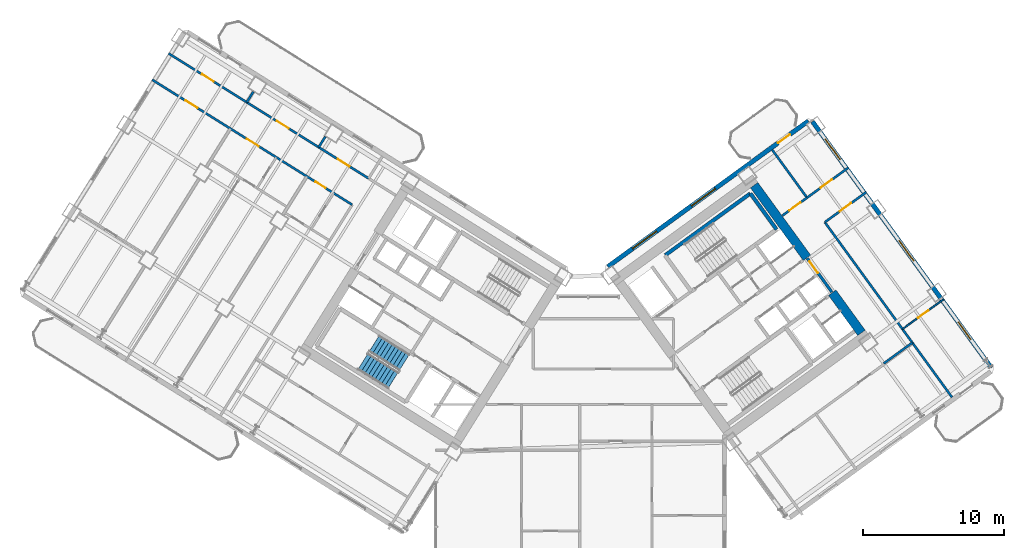
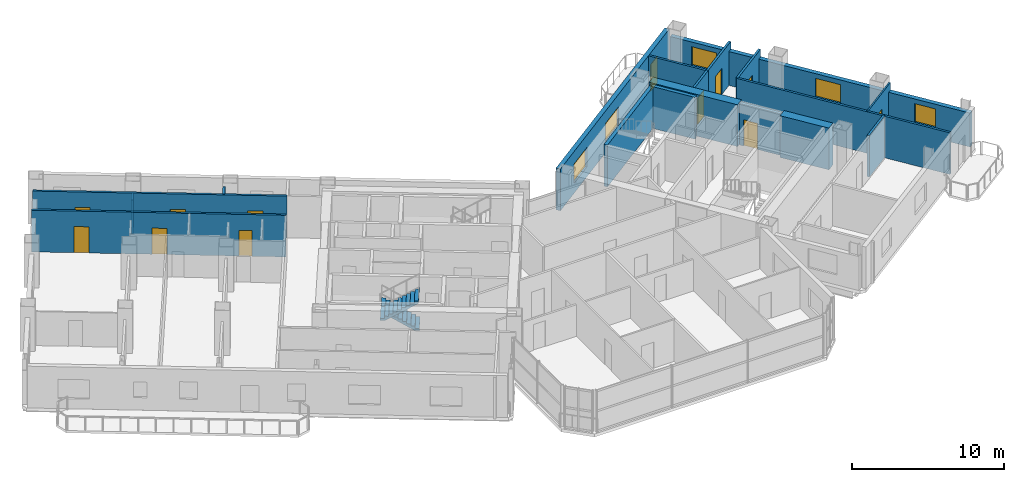
# One storey, part 19 of 24: 18 walls, 12 doors, 5 windows, 2 stair flights, 17 openings, 1 element without a shape of its own.
"""IFC4 building model written with IfcOpenShell, lengths in metres."""

import ifcopenshell
import ifcopenshell.guid

model = None  # the IFC model being written
_history = None  # IfcOwnerHistory: only IFC2X3 demands one
_inside = {}  # id of a spatial element -> (the spatial element, [elements in it])
_under = {}  # id of a project, library or spatial element -> (it, [spatial elements below it])
_declared = {}  # id of a project -> (the project, [libraries it declares])
_typed = {}  # id of a type object -> (the type object, [elements of that type])
_made_of = {}  # id of a material, layer set ... -> (it, [elements and type objects made of it])


def new_model(schema):
    """Start an empty IFC model of exactly this schema.

    Asked for "IFC4X3", IfcOpenShell would pick the latest addendum, in which some entities
    have other attributes; the version numbers below select the first issue.
    IFC2X3 requires an IfcOwnerHistory on every rooted entity: one is made here for all.
    """
    global model, _history
    if schema == "IFC4X3":
        model = ifcopenshell.file(schema_version=(4, 3, 0, 0))
    else:
        model = ifcopenshell.file(schema=schema)
    _inside.clear()
    _under.clear()
    _declared.clear()
    _typed.clear()
    _made_of.clear()
    _history = None
    if model.schema == "IFC2X3":
        org = make("IfcOrganization", Name="unknown")
        user = make(
            "IfcPersonAndOrganization",
            ThePerson=make("IfcPerson", FamilyName="unknown"),
            TheOrganization=org,
        )
        app = make(
            "IfcApplication",
            ApplicationDeveloper=org,
            Version="unknown",
            ApplicationFullName="unknown",
            ApplicationIdentifier="unknown",
        )
        _history = make(
            "IfcOwnerHistory",
            OwningUser=user,
            OwningApplication=app,
            ChangeAction="ADDED",
            CreationDate=0,
        )
    return model


def make(cls, **values):
    """One entity of the class cls with the attributes given. An attribute that is None is left unset."""
    return model.create_entity(
        cls, **{name: value for name, value in values.items() if value is not None}
    )


def rooted(cls, **values):
    """An entity with a GlobalId (a new one), such as an element, a storey or a relation."""
    return make(cls, GlobalId=ifcopenshell.guid.new(), OwnerHistory=_history, **values)


def si_unit(unit_type, name, prefix=None):
    """IfcSIUnit, for example si_unit("LENGTHUNIT", "METRE", prefix="MILLI")."""
    return make("IfcSIUnit", UnitType=unit_type, Prefix=prefix, Name=name)


def assignment(units):
    """IfcUnitAssignment: the units of a project."""
    return None if units is None else make("IfcUnitAssignment", Units=units)


def point(xyz):
    """IfcCartesianPoint."""
    return None if xyz is None else make("IfcCartesianPoint", Coordinates=xyz)


def direction(xyz):
    """IfcDirection."""
    return None if xyz is None else make("IfcDirection", DirectionRatios=xyz)


def frame(location, z_axis=None, x_axis=None):
    """IfcAxis2Placement3D, a coordinate frame: its origin and axes. An axis left out is left unset."""
    return make(
        "IfcAxis2Placement3D",
        Location=point(location),
        Axis=direction(z_axis),
        RefDirection=direction(x_axis),
    )


def frame_2d(location, x_axis=None):
    """IfcAxis2Placement2D, a coordinate frame in the plane: its origin and x axis."""
    return make(
        "IfcAxis2Placement2D", Location=point(location), RefDirection=direction(x_axis)
    )


def origin():
    """The frame at (0, 0, 0) with its axes left unset."""
    return frame((0.0, 0.0, 0.0))


def place(relative_to, where):
    """IfcLocalPlacement: puts the frame where relative to a parent placement (None: the world)."""
    return make(
        "IfcLocalPlacement", PlacementRelTo=relative_to, RelativePlacement=where
    )


def context(
    kind, dimensions, precision=None, world=None, true_north=None, identifier=None
):
    """IfcGeometricRepresentationContext, for example the 3D "Model" context."""
    return make(
        "IfcGeometricRepresentationContext",
        ContextIdentifier=identifier,
        ContextType=kind,
        CoordinateSpaceDimension=dimensions,
        Precision=precision,
        WorldCoordinateSystem=world,
        TrueNorth=true_north,
    )


def subcontext(parent, identifier, kind, view, scale=None):
    """IfcGeometricRepresentationSubContext, for example "Body" below "Model"."""
    return make(
        "IfcGeometricRepresentationSubContext",
        ContextIdentifier=identifier,
        ContextType=kind,
        ParentContext=parent,
        TargetScale=scale,
        TargetView=view,
    )


def project(units=None, contexts=None):
    """IfcProject with its units and contexts."""
    return rooted(
        "IfcProject",
        Name="project",
        RepresentationContexts=contexts,
        UnitsInContext=assignment(units),
    )


def spatial(cls, under=None, at=None, **own):
    """A site, building, storey or space (cls), placed at a placement, below another one or the project."""
    s = rooted(cls, ObjectPlacement=at, **own)
    if under is not None:
        _under.setdefault(under.id(), (under, []))[1].append(s)
    return s


def polyline(points):
    """IfcPolyline through the points."""
    return make("IfcPolyline", Points=[point(p) for p in points])


def profile(cls, at=None, kind="AREA", **sizes):
    """A parametric profile (cls). Its sizes go by their IFC names, for example OverallWidth=200.0."""
    return make(cls, ProfileType=kind, Position=at, **sizes)


def rectangle(**sizes):
    """IfcRectangleProfileDef."""
    return profile("IfcRectangleProfileDef", **sizes)


def outline(outer, holes=None, kind="AREA"):
    """IfcArbitraryClosedProfileDef: a profile drawn as a closed curve; with holes, ...WithVoids."""
    if holes is None:
        return make("IfcArbitraryClosedProfileDef", ProfileType=kind, OuterCurve=outer)
    return make(
        "IfcArbitraryProfileDefWithVoids",
        ProfileType=kind,
        OuterCurve=outer,
        InnerCurves=holes,
    )


def extrude(swept, where, along, depth):
    """IfcExtrudedAreaSolid: the profile swept, set in the frame where, extruded along a direction by depth."""
    return make(
        "IfcExtrudedAreaSolid",
        SweptArea=swept,
        Position=where,
        ExtrudedDirection=direction(along),
        Depth=depth,
    )


def shape(context_of_items, identifier, shape_type, items):
    """IfcShapeRepresentation: the items that make up one representation, for example the "Body"."""
    return make(
        "IfcShapeRepresentation",
        ContextOfItems=context_of_items,
        RepresentationIdentifier=identifier,
        RepresentationType=shape_type,
        Items=items,
    )


def source(mapping_origin, context_of_items, identifier, shape_type, items):
    """IfcRepresentationMap: a shape defined once, which mapped items show again and again."""
    return make(
        "IfcRepresentationMap",
        MappingOrigin=mapping_origin,
        MappedRepresentation=shape(context_of_items, identifier, shape_type, items),
    )


def transform(
    local_origin,
    x_axis=None,
    y_axis=None,
    z_axis=None,
    scale=None,
    scale2=None,
    scale3=None,
    uniform=True,
):
    """IfcCartesianTransformationOperator3D, or its non-uniform kind. x_axis, y_axis, z_axis: its Axis1, 2, 3."""
    if uniform:
        return make(
            "IfcCartesianTransformationOperator3D",
            Axis1=direction(x_axis),
            Axis2=direction(y_axis),
            LocalOrigin=point(local_origin),
            Scale=scale,
            Axis3=direction(z_axis),
        )
    return make(
        "IfcCartesianTransformationOperator3DnonUniform",
        Axis1=direction(x_axis),
        Axis2=direction(y_axis),
        LocalOrigin=point(local_origin),
        Scale=scale,
        Axis3=direction(z_axis),
        Scale2=scale2,
        Scale3=scale3,
    )


def mapped(mapping_source, mapping_target):
    """IfcMappedItem: shows the shape of a source again, moved by a transform."""
    return make(
        "IfcMappedItem", MappingSource=mapping_source, MappingTarget=mapping_target
    )


def material(Name=None, Category=None):
    """IfcMaterial."""
    return make("IfcMaterial", Name=Name, Category=Category)


def layer(
    of_material, thickness, ventilated=None, Name=None, Category=None, Priority=None
):
    """IfcMaterialLayer: one layer of a wall or slab, of a material (None: an air gap)."""
    return make(
        "IfcMaterialLayer",
        Material=of_material,
        LayerThickness=thickness,
        IsVentilated=ventilated,
        Name=Name,
        Category=Category,
        Priority=Priority,
    )


def layer_set(layers, Name=None):
    """IfcMaterialLayerSet."""
    return make("IfcMaterialLayerSet", MaterialLayers=layers, LayerSetName=Name)


def made_of(thing, what):
    """Note that an element or type object is made of a material, layer set ...; save() writes the relation."""
    if what is not None:
        _made_of.setdefault(what.id(), (what, []))[1].append(thing)
    return thing


def type_object(cls, material=None, **own):
    """A type object (cls), such as IfcWallType, which elements share."""
    return made_of(rooted(cls, **own), material)


def element(
    cls,
    number,
    at=None,
    inside=None,
    cuts=None,
    type_object=None,
    material=None,
    context=None,
    identifier="Body",
    shape_type=None,
    held_by="IfcProductDefinitionShape",
    body=None,
    shapes=None,
    **own,
):
    """One element of the class cls, such as IfcWall. Its Tag is "e" and its number.

    at: its placement. inside: the storey or other place that contains it. cuts: it is an
    opening in that element (IfcRelVoidsElement). A single representation is given by context,
    identifier, shape_type and body (its items); several are given by shapes. held_by: the class
    of the entity that holds the representations. save() writes the other relations.
    """
    e = rooted(cls, Tag="e%d" % number, ObjectPlacement=at, **own)
    if body is not None:
        shapes = [shape(context, identifier, shape_type, body)]
    if shapes is not None:
        e.Representation = make(held_by, Representations=shapes)
    if inside is not None:
        _inside.setdefault(inside.id(), (inside, []))[1].append(e)
    if cuts is not None:
        rooted(
            "IfcRelVoidsElement", RelatingBuildingElement=cuts, RelatedOpeningElement=e
        )
    if type_object is not None:
        _typed.setdefault(type_object.id(), (type_object, []))[1].append(e)
    return made_of(e, material)


def fill(opening, filler):
    """IfcRelFillsElement: the door or window that sits in an opening."""
    return rooted(
        "IfcRelFillsElement",
        RelatingOpeningElement=opening,
        RelatedBuildingElement=filler,
    )


def aggregate(whole, parts):
    """IfcRelAggregates: a whole, such as a stair, and the parts it consists of."""
    return rooted("IfcRelAggregates", RelatingObject=whole, RelatedObjects=parts)


def save(model, path):
    """Write the relations noted so far, then the file.

    IfcRelAggregates (storeys below a building ...), IfcRelContainedInSpatialStructure (elements
    in a storey), IfcRelDefinesByType, IfcRelAssociatesMaterial and IfcRelDeclares: one each for
    every whole, place, type object, material and project.
    """
    for whole, parts in _under.values():
        aggregate(whole, parts)
    for where, things in _inside.values():
        rooted(
            "IfcRelContainedInSpatialStructure",
            RelatedElements=things,
            RelatingStructure=where,
        )
    for kind, things in _typed.values():
        rooted("IfcRelDefinesByType", RelatedObjects=things, RelatingType=kind)
    for what, things in _made_of.values():
        rooted("IfcRelAssociatesMaterial", RelatedObjects=things, RelatingMaterial=what)
    for by, libraries in _declared.values():
        rooted("IfcRelDeclares", RelatingContext=by, RelatedDefinitions=libraries)
    model.write(path)


model = new_model("IFC4")

# Units and contexts
model_context = context("Model", 3, precision=1e-05, world=origin(), true_north=direction((0.0, 1.0)))
body_context = subcontext(model_context, "Body", "Model", "MODEL_VIEW")
ifc_project = project(units=[si_unit("LENGTHUNIT", "METRE"), si_unit("AREAUNIT", "SQUARE_METRE"), si_unit("VOLUMEUNIT", "CUBIC_METRE"), si_unit("PLANEANGLEUNIT", "RADIAN"), si_unit("MASSUNIT", "GRAM", prefix="KILO")], contexts=[model_context])

# Site, building, storey
site_placement = place(None, origin())
site = spatial("IfcSite", under=ifc_project, at=site_placement, CompositionType="ELEMENT")
building_placement = place(site_placement, origin())
building = spatial("IfcBuilding", under=site, at=building_placement, Name="Tlacorven Tower", CompositionType="ELEMENT")
storey_placement = place(building_placement, frame((0.0, 0.0, 38.39990234375)))
storey = spatial("IfcBuildingStorey", under=building, at=storey_placement, Name="L09", CompositionType="ELEMENT", Elevation=38.39990234375)

# Walls
ifc_material_1 = material(Name="Concrete C60/75", Category="concrete")
ifc_layer_1 = layer(ifc_material_1, 0.64990234375)
ifc_layer_set_1 = layer_set([ifc_layer_1], Name="Concrete C60/75")
wall_type_1 = type_object("IfcWallType", Name="WL-COR-650", PredefinedType="SHEAR", material=ifc_layer_set_1)
wall_1_placement = place(storey_placement, frame((61.9287109375, 20.494384765625, 0.0), z_axis=(0.0, 0.0, 1.0), x_axis=(-0.58782982593, 0.808984607855, 0.0)))
element("IfcWall", 1, at=wall_1_placement, inside=storey, type_object=wall_type_1, Name="L09 E core end wall E2.1", PredefinedType="SHEAR", context=body_context, shape_type="SweptSolid", body=[
    extrude(rectangle(XDim=3.52490234375, YDim=0.64990234375, at=frame_2d((1.762451171875, 0.0))), origin(), (0.0, 0.0, 1.0), 3.35009765625),
])
wall_2_placement = place(storey_placement, frame((58.06396484375, 25.8134765625, 0.0), z_axis=(0.0, 0.0, 1.0), x_axis=(-0.58777996584, 0.809020835181, 0.0)))
element("IfcWall", 2, at=wall_2_placement, inside=storey, type_object=wall_type_1, Name="L09 E core end wall E2.2", PredefinedType="SHEAR", context=body_context, shape_type="SweptSolid", body=[
    extrude(rectangle(XDim=6.375, YDim=0.64990234375, at=frame_2d((3.1875, 0.0))), origin(), (0.0, 0.0, 1.0), 3.35009765625),
])

# Wall, openings, doors
ifc_material_2 = material(Name="Gypsum plasterboard acoustic partition", Category="gypsum")
ifc_layer_2 = layer(ifc_material_2, 0.159912109375)
ifc_layer_set_2 = layer_set([ifc_layer_2], Name="Gypsum plasterboard acoustic partition")
wall_type_2 = type_object("IfcWallType", Name="WL-DEM-160", PredefinedType="PARTITIONING", material=ifc_layer_set_2)
wall_3_placement = place(storey_placement, frame((26.97265625, 31.447265625, 0.0), z_axis=(0.0, 0.0, 1.0), x_axis=(-0.848048310262, 0.529918921593, 0.0)))
wall_3 = element("IfcWall", 3, at=wall_3_placement, inside=storey, type_object=wall_type_2, Name="L09 Wing W Corridor South Wall", PredefinedType="PARTITIONING", context=body_context, shape_type="SweptSolid", body=[
    extrude(rectangle(XDim=16.72998046875, YDim=0.159912109375, at=frame_2d((8.364990234375, 0.0))), origin(), (0.0, 0.0, 1.0), 3.340087890625),
])
opening_1_placement = place(wall_3_placement, frame((1.58837890625, 0.0, 0.0)))
opening_1 = element("IfcOpeningElement", 4, at=opening_1_placement, cuts=wall_3, Name="Opening D11", PredefinedType="OPENING", context=body_context, shape_type="SweptSolid", body=[
    extrude(rectangle(XDim=1.0, YDim=2.10009765625, at=frame_2d((0.5, 1.050048828125))), frame((0.0, 0.08984375, 0.0), z_axis=(0.0, -1.0, 0.0), x_axis=(1.0, 0.0, 0.0)), (0.0, 0.0, 1.0), 0.179931640625),
])
opening_2_placement = place(wall_3_placement, frame((6.68505859375, 0.0, 0.0)))
opening_2 = element("IfcOpeningElement", 5, at=opening_2_placement, cuts=wall_3, Name="Opening D11", PredefinedType="OPENING", context=body_context, shape_type="SweptSolid", body=[
    extrude(rectangle(XDim=1.0, YDim=2.10009765625, at=frame_2d((0.5, 1.050048828125))), frame((0.0, 0.08984375, 0.0), z_axis=(0.0, -1.0, 0.0), x_axis=(1.0, 0.0, 0.0)), (0.0, 0.0, 1.0), 0.179931640625),
])
opening_3_placement = place(wall_3_placement, frame((12.951416015625, 0.0, 0.0)))
opening_3 = element("IfcOpeningElement", 6, at=opening_3_placement, cuts=wall_3, Name="Opening D11", PredefinedType="OPENING", context=body_context, shape_type="SweptSolid", body=[
    extrude(rectangle(XDim=1.0, YDim=2.10009765625, at=frame_2d((0.5, 1.050048828125))), frame((0.0, 0.08984375, 0.0), z_axis=(0.0, -1.0, 0.0), x_axis=(1.0, 0.0, 0.0)), (0.0, 0.0, 1.0), 0.179931640625),
])
ifc_material_3 = material(Name="Fire-rated steel door assembly", Category="steel")
door_type_1 = type_object("IfcDoorType", Name="DR-FLT-FD60-1000", OperationType="NOTDEFINED", PredefinedType="DOOR", material=ifc_material_3)
shared_shape_1 = source(origin(), body_context, "Body", "SweptSolid", [
    extrude(rectangle(XDim=1.0, YDim=2.10009765625, at=frame_2d((0.5, 1.050048828125))), frame((0.0, 0.02490234375, 0.0), z_axis=(0.0, -1.0, 0.0), x_axis=(1.0, 0.0, 0.0)), (0.0, 0.0, 1.0), 0.050048828125),
])
door_1_placement = place(opening_1_placement, frame((1.0, 0.0, 0.0), z_axis=(0.0, 0.0, 1.0), x_axis=(-1.0, 0.0, 0.0)))
door_1 = element("IfcDoor", 7, at=door_1_placement, inside=storey, type_object=door_type_1, Name="L09 door 032", OperationType="SINGLE_SWING_LEFT", OverallHeight=2.10009765625, OverallWidth=1.0, PredefinedType="DOOR", context=body_context, shape_type="MappedRepresentation", body=[
    mapped(shared_shape_1, transform((0.0, 0.0, 0.0), scale=1.0)),
])
fill(opening_1, door_1)
door_2_placement = place(opening_2_placement, frame((1.0, 0.0, 0.0), z_axis=(0.0, 0.0, 1.0), x_axis=(-1.0, 0.0, 0.0)))
door_2 = element("IfcDoor", 8, at=door_2_placement, inside=storey, type_object=door_type_1, Name="L09 door 033", OperationType="SINGLE_SWING_RIGHT", OverallHeight=2.10009765625, OverallWidth=1.0, PredefinedType="DOOR", context=body_context, shape_type="MappedRepresentation", body=[
    mapped(shared_shape_1, transform((0.0, 0.0, 0.0), scale=1.0)),
])
fill(opening_2, door_2)
door_3_placement = place(opening_3_placement, frame((1.0, 0.0, 0.0), z_axis=(0.0, 0.0, 1.0), x_axis=(-1.0, 0.0, 0.0)))
door_3 = element("IfcDoor", 9, at=door_3_placement, inside=storey, type_object=door_type_1, Name="L09 door 034", OperationType="SINGLE_SWING_LEFT", OverallHeight=2.10009765625, OverallWidth=1.0, PredefinedType="DOOR", context=body_context, shape_type="MappedRepresentation", body=[
    mapped(shared_shape_1, transform((0.0, 0.0, 0.0), scale=1.0)),
])
fill(opening_3, door_3)

wall_4_placement = place(storey_placement, frame((25.806884765625, 29.58154296875, 0.0), z_axis=(0.0, 0.0, 1.0), x_axis=(-0.848052408131, 0.529912363569, 0.0)))
wall_4 = element("IfcWall", 10, at=wall_4_placement, inside=storey, type_object=wall_type_2, Name="L09 Wing W Corridor North Wall", PredefinedType="PARTITIONING", context=body_context, shape_type="SweptSolid", body=[
    extrude(rectangle(XDim=16.72998046875, YDim=0.159912109375, at=frame_2d((8.364990234375, 0.0))), origin(), (0.0, 0.0, 1.0), 3.340087890625),
])
opening_4_placement = place(wall_4_placement, frame((2.219970703125, 0.0, 0.0)))
opening_4 = element("IfcOpeningElement", 11, at=opening_4_placement, cuts=wall_4, Name="Opening D19", PredefinedType="OPENING", context=body_context, shape_type="SweptSolid", body=[
    extrude(rectangle(XDim=0.860107421875, YDim=2.050048828125, at=frame_2d((0.43017578125, 1.02490234375))), frame((0.0, 0.08984375, 0.0), z_axis=(0.0, -1.0, 0.0), x_axis=(1.0, 0.0, 0.0)), (0.0, 0.0, 1.0), 0.179931640625),
])
opening_5_placement = place(wall_4_placement, frame((7.820068359375, 0.0, 0.0)))
opening_5 = element("IfcOpeningElement", 12, at=opening_5_placement, cuts=wall_4, Name="Opening D11", PredefinedType="OPENING", context=body_context, shape_type="SweptSolid", body=[
    extrude(rectangle(XDim=1.0, YDim=2.10009765625, at=frame_2d((0.5, 1.050048828125))), frame((0.0, 0.08984375, 0.0), z_axis=(0.0, -1.0, 0.0), x_axis=(1.0, 0.0, 0.0)), (0.0, 0.0, 1.0), 0.179931640625),
])
opening_6_placement = place(wall_4_placement, frame((12.949951171875, 0.0, 0.0)))
opening_6 = element("IfcOpeningElement", 13, at=opening_6_placement, cuts=wall_4, Name="Opening D11", PredefinedType="OPENING", context=body_context, shape_type="SweptSolid", body=[
    extrude(rectangle(XDim=1.0, YDim=2.10009765625, at=frame_2d((0.5, 1.050048828125))), frame((0.0, 0.08984375, 0.0), z_axis=(0.0, -1.0, 0.0), x_axis=(1.0, 0.0, 0.0)), (0.0, 0.0, 1.0), 0.179931640625),
])
door_type_2 = type_object("IfcDoorType", Name="DR-RSR-FD60-0860", OperationType="NOTDEFINED", PredefinedType="DOOR", material=ifc_material_3)
shared_shape_2 = source(origin(), body_context, "Body", "SweptSolid", [
    extrude(rectangle(XDim=0.860107421875, YDim=2.050048828125, at=frame_2d((0.43017578125, 1.02490234375))), frame((0.0, 0.02490234375, 0.0), z_axis=(0.0, -1.0, 0.0), x_axis=(1.0, 0.0, 0.0)), (0.0, 0.0, 1.0), 0.050048828125),
])
door_4_placement = place(opening_4_placement, origin())
door_4 = element("IfcDoor", 14, at=door_4_placement, inside=storey, type_object=door_type_2, Name="L09 door 023", OperationType="SINGLE_SWING_RIGHT", OverallHeight=2.050048828125, OverallWidth=0.860107421875, PredefinedType="DOOR", context=body_context, shape_type="MappedRepresentation", body=[
    mapped(shared_shape_2, transform((0.0, 0.0, 0.0), scale=1.0)),
])
fill(opening_4, door_4)
door_5_placement = place(opening_5_placement, origin())
door_5 = element("IfcDoor", 15, at=door_5_placement, inside=storey, type_object=door_type_1, Name="L09 door 027", OperationType="SINGLE_SWING_RIGHT", OverallHeight=2.10009765625, OverallWidth=1.0, PredefinedType="DOOR", context=body_context, shape_type="MappedRepresentation", body=[
    mapped(shared_shape_1, transform((0.0, 0.0, 0.0), scale=1.0)),
])
fill(opening_5, door_5)
door_6_placement = place(opening_6_placement, origin())
door_6 = element("IfcDoor", 16, at=door_6_placement, inside=storey, type_object=door_type_1, Name="L09 door 030", OperationType="SINGLE_SWING_LEFT", OverallHeight=2.10009765625, OverallWidth=1.0, PredefinedType="DOOR", context=body_context, shape_type="MappedRepresentation", body=[
    mapped(shared_shape_1, transform((0.0, 0.0, 0.0), scale=1.0)),
])
fill(opening_6, door_6)

# Walls
wall_5_placement = place(storey_placement, frame((23.90087890625, 34.413818359375, 0.0), z_axis=(0.0, 0.0, 1.0), x_axis=(-0.529776512202, -0.848137280821, 0.0)))
element("IfcWall", 17, at=wall_5_placement, inside=storey, type_object=wall_type_2, Name="L09 partition 64", PredefinedType="PARTITIONING", context=body_context, shape_type="SweptSolid", body=[
    extrude(rectangle(XDim=0.887939453125, YDim=0.159912109375, at=frame_2d((0.44384765625, 0.0))), origin(), (0.0, 0.0, 1.0), 3.340087890625),
])
wall_6_placement = place(storey_placement, frame((18.799072265625, 37.601806640625, 0.0), z_axis=(0.0, 0.0, 1.0), x_axis=(-0.529974231203, -0.848013746505, 0.0)))
element("IfcWall", 18, at=wall_6_placement, inside=storey, type_object=wall_type_2, Name="L09 partition 65", PredefinedType="PARTITIONING", context=body_context, shape_type="SweptSolid", body=[
    extrude(rectangle(XDim=0.88818359375, YDim=0.159912109375, at=frame_2d((0.444091796875, 0.0))), origin(), (0.0, 0.0, 1.0), 2.72509765625),
])
wall_7_placement = place(storey_placement, frame((63.5068359375, 18.322021484375, 0.0), z_axis=(0.0, 0.0, 1.0), x_axis=(0.809034604122, 0.587761013791, 0.0)))
element("IfcWall", 19, at=wall_7_placement, inside=storey, type_object=wall_type_2, Name="L09 partition 87", PredefinedType="PARTITIONING", context=body_context, shape_type="SweptSolid", body=[
    extrude(rectangle(XDim=2.510009765625, YDim=0.159912109375, at=frame_2d((1.2548828125, 0.0))), origin(), (0.0, 0.0, 1.0), 3.340087890625),
])

# Wall, opening, door
wall_8_placement = place(storey_placement, frame((56.32080078125, 28.8115234375, 0.0), z_axis=(0.0, 0.0, 1.0), x_axis=(0.809029482429, 0.587768063577, 0.0)))
wall_8 = element("IfcWall", 20, at=wall_8_placement, inside=storey, type_object=wall_type_2, Name="L09 partition 88", PredefinedType="PARTITIONING", context=body_context, shape_type="SweptSolid", body=[
    extrude(rectangle(XDim=2.158203125, YDim=0.159912109375, at=frame_2d((1.0791015625, 0.0))), origin(), (0.0, 0.0, 1.0), 3.340087890625),
])
opening_7_placement = place(wall_8_placement, frame((0.597900390625, 0.0, 0.0)))
opening_7 = element("IfcOpeningElement", 21, at=opening_7_placement, cuts=wall_8, Name="Opening D11", PredefinedType="OPENING", context=body_context, shape_type="SweptSolid", body=[
    extrude(rectangle(XDim=1.0, YDim=2.10009765625, at=frame_2d((0.5, 1.050048828125))), frame((0.0, 0.08984375, 0.0), z_axis=(0.0, -1.0, 0.0), x_axis=(1.0, 0.0, 0.0)), (0.0, 0.0, 1.0), 0.179931640625),
])
door_7_placement = place(opening_7_placement, origin())
door_7 = element("IfcDoor", 22, at=door_7_placement, inside=storey, type_object=door_type_1, Name="L09 door 051", OperationType="SINGLE_SWING_RIGHT", OverallHeight=2.10009765625, OverallWidth=1.0, PredefinedType="DOOR", context=body_context, shape_type="MappedRepresentation", body=[
    mapped(shared_shape_1, transform((0.0, 0.0, 0.0), scale=1.0)),
])
fill(opening_7, door_7)

# Walls
wall_9_placement = place(storey_placement, frame((68.35302734375, 15.922119140625, 0.0), z_axis=(0.0, 0.0, 1.0), x_axis=(-0.587782002009, 0.809019355834, 0.0)))
element("IfcWall", 23, at=wall_9_placement, inside=storey, type_object=wall_type_2, Name="L09 partition 89", PredefinedType="PARTITIONING", context=body_context, shape_type="SweptSolid", body=[
    extrude(rectangle(XDim=15.35009765625, YDim=0.159912109375, at=frame_2d((7.675048828125, 0.0))), origin(), (0.0, 0.0, 1.0), 3.340087890625),
])
wall_10_placement = place(storey_placement, frame((58.06689453125, 30.080078125, 0.0), z_axis=(0.0, 0.0, 1.0), x_axis=(-0.587812175236, 0.808997433027, 0.0)))
element("IfcWall", 24, at=wall_10_placement, inside=storey, type_object=wall_type_2, Name="L09 partition 90", PredefinedType="PARTITIONING", context=body_context, shape_type="SweptSolid", body=[
    extrude(rectangle(XDim=4.199951171875, YDim=0.159912109375, at=frame_2d((2.10009765625, 0.0))), origin(), (0.0, 0.0, 1.0), 3.340087890625),
])

# Wall, opening, door
wall_11_placement = place(storey_placement, frame((59.33056640625, 28.340576171875, 0.0), z_axis=(0.0, 0.0, 1.0), x_axis=(0.809003564202, 0.587803736896, 0.0)))
wall_11 = element("IfcWall", 25, at=wall_11_placement, inside=storey, type_object=wall_type_2, Name="L09 partition 92", PredefinedType="PARTITIONING", context=body_context, shape_type="SweptSolid", body=[
    extrude(rectangle(XDim=3.630126953125, YDim=0.159912109375, at=frame_2d((1.81494140625, 0.0))), origin(), (0.0, 0.0, 1.0), 3.340087890625),
])
opening_8_placement = place(wall_11_placement, frame((1.304931640625, 0.0, 0.0)))
opening_8 = element("IfcOpeningElement", 26, at=opening_8_placement, cuts=wall_11, Name="Opening D11", PredefinedType="OPENING", context=body_context, shape_type="SweptSolid", body=[
    extrude(rectangle(XDim=1.0, YDim=2.10009765625, at=frame_2d((0.5, 1.050048828125))), frame((0.0, 0.08984375, 0.0), z_axis=(0.0, -1.0, 0.0), x_axis=(1.0, 0.0, 0.0)), (0.0, 0.0, 1.0), 0.179931640625),
])
door_8_placement = place(opening_8_placement, origin())
door_8 = element("IfcDoor", 27, at=door_8_placement, inside=storey, type_object=door_type_1, Name="L09 door 054", OperationType="SINGLE_SWING_LEFT", OverallHeight=2.10009765625, OverallWidth=1.0, PredefinedType="DOOR", context=body_context, shape_type="MappedRepresentation", body=[
    mapped(shared_shape_1, transform((0.0, 0.0, 0.0), scale=1.0)),
])
fill(opening_8, door_8)

wall_12_placement = place(storey_placement, frame((58.06689453125, 30.080078125, 0.0), z_axis=(0.0, 0.0, 1.0), x_axis=(0.809012309495, 0.587791700422, 0.0)))
wall_12 = element("IfcWall", 28, at=wall_12_placement, inside=storey, type_object=wall_type_2, Name="L09 partition 93", PredefinedType="PARTITIONING", context=body_context, shape_type="SweptSolid", body=[
    extrude(rectangle(XDim=3.6298828125, YDim=0.159912109375, at=frame_2d((1.81494140625, 0.0))), origin(), (0.0, 0.0, 1.0), 3.340087890625),
])
opening_9_placement = place(wall_12_placement, frame((1.199951171875, 0.0, 0.0)))
opening_9 = element("IfcOpeningElement", 29, at=opening_9_placement, cuts=wall_12, Name="Opening D11", PredefinedType="OPENING", context=body_context, shape_type="SweptSolid", body=[
    extrude(rectangle(XDim=1.0, YDim=2.10009765625, at=frame_2d((0.5, 1.050048828125))), frame((0.0, 0.08984375, 0.0), z_axis=(0.0, -1.0, 0.0), x_axis=(1.0, 0.0, 0.0)), (0.0, 0.0, 1.0), 0.179931640625),
])
door_9_placement = place(opening_9_placement, origin())
door_9 = element("IfcDoor", 30, at=door_9_placement, inside=storey, type_object=door_type_1, Name="L09 door 053", OperationType="SINGLE_SWING_RIGHT", OverallHeight=2.10009765625, OverallWidth=1.0, PredefinedType="DOOR", context=body_context, shape_type="MappedRepresentation", body=[
    mapped(shared_shape_1, transform((0.0, 0.0, 0.0), scale=1.0)),
])
fill(opening_9, door_9)

# Wall, openings, door, windows
ifc_material_4 = material(Name="Precast concrete C45/55", Category="concrete")
ifc_layer_3 = layer(ifc_material_4, 0.320068359375)
ifc_layer_set_3 = layer_set([ifc_layer_3], Name="Precast concrete C45/55")
wall_type_3 = type_object("IfcWallType", Name="WL-EXT-320", PredefinedType="STANDARD", material=ifc_layer_set_3)
wall_13_placement = place(storey_placement, frame((43.93798828125, 25.191650390625, 0.0), z_axis=(0.0, 0.0, 1.0), x_axis=(0.809016324578, 0.587786174187, 0.0)))
wall_13 = element("IfcWall", 31, at=wall_13_placement, inside=storey, type_object=wall_type_3, Name="L09 Masonry-Frame Recessed Facade Wall 4", PredefinedType="STANDARD", context=body_context, shape_type="SweptSolid", body=[
    extrude(rectangle(XDim=17.58740234375, YDim=0.320068359375, at=frame_2d((8.793701171875, 0.0))), origin(), (0.0, 0.0, 1.0), 3.35009765625),
])
opening_10_placement = place(wall_13_placement, frame((14.913818359375, 0.0, 0.0)))
opening_10 = element("IfcOpeningElement", 32, at=opening_10_placement, cuts=wall_13, Name="Opening D06", PredefinedType="OPENING", context=body_context, shape_type="SweptSolid", body=[
    extrude(rectangle(XDim=1.050048828125, YDim=2.14990234375, at=frame_2d((0.52490234375, 1.074951171875))), frame((0.0, 0.169921875, 0.0), z_axis=(0.0, -1.0, 0.0), x_axis=(1.0, 0.0, 0.0)), (0.0, 0.0, 1.0), 0.340087890625),
])
opening_11_placement = place(wall_13_placement, frame((2.168701171875, 0.0, 0.800048828125)))
opening_11 = element("IfcOpeningElement", 33, at=opening_11_placement, cuts=wall_13, Name="Opening WN04", PredefinedType="OPENING", context=body_context, shape_type="SweptSolid", body=[
    extrude(rectangle(XDim=2.10009765625, YDim=1.550048828125, at=frame_2d((1.050048828125, 0.77490234375))), frame((0.0, 0.169921875, 0.0), z_axis=(0.0, -1.0, 0.0), x_axis=(1.0, 0.0, 0.0)), (0.0, 0.0, 1.0), 0.340087890625),
])
opening_12_placement = place(wall_13_placement, frame((7.318603515625, 0.0, 0.800048828125)))
opening_12 = element("IfcOpeningElement", 34, at=opening_12_placement, cuts=wall_13, Name="Opening WN04", PredefinedType="OPENING", context=body_context, shape_type="SweptSolid", body=[
    extrude(rectangle(XDim=2.10009765625, YDim=1.550048828125, at=frame_2d((1.050048828125, 0.77490234375))), frame((0.0, 0.169921875, 0.0), z_axis=(0.0, -1.0, 0.0), x_axis=(1.0, 0.0, 0.0)), (0.0, 0.0, 1.0), 0.340087890625),
])
ifc_material_5 = material(Name="Powder-coated aluminium and timber door", Category="wood")
door_type_3 = type_object("IfcDoorType", Name="DR-EXT-BALC-1050", OperationType="NOTDEFINED", PredefinedType="DOOR", material=ifc_material_5)
shared_shape_3 = source(origin(), body_context, "Body", "SweptSolid", [
    extrude(rectangle(XDim=1.050048828125, YDim=2.14990234375, at=frame_2d((0.52490234375, 1.074951171875))), frame((0.0, 0.02490234375, 0.0), z_axis=(0.0, -1.0, 0.0), x_axis=(1.0, 0.0, 0.0)), (0.0, 0.0, 1.0), 0.050048828125),
])
door_10_placement = place(opening_10_placement, origin())
door_10 = element("IfcDoor", 35, at=door_10_placement, inside=storey, type_object=door_type_3, Name="L09 Outdoor Access Door BAL-L09-E-IN", OperationType="SINGLE_SWING_RIGHT", OverallHeight=2.14990234375, OverallWidth=1.050048828125, PredefinedType="DOOR", context=body_context, shape_type="MappedRepresentation", body=[
    mapped(shared_shape_3, transform((0.0, 0.0, 0.0), scale=1.0)),
])
fill(opening_10, door_10)
ifc_material_6 = material(Name="Dark solar low-E double glazing in anodised aluminium frame", Category="aluminium")
window_type_1 = type_object("IfcWindowType", Name="WN-APT-2100X1750", PartitioningType="SINGLE_PANEL", PredefinedType="WINDOW", material=ifc_material_6)
shared_shape_4 = source(origin(), body_context, "Body", "SweptSolid", [
    extrude(rectangle(XDim=2.10009765625, YDim=1.550048828125, at=frame_2d((1.050048828125, 0.77490234375))), frame((0.0, 0.030029296875, 0.0), z_axis=(0.0, -1.0, 0.0), x_axis=(1.0, 0.0, 0.0)), (0.0, 0.0, 1.0), 0.06005859375),
])
window_1_placement = place(opening_11_placement, origin())
window_1 = element("IfcWindow", 36, at=window_1_placement, inside=storey, type_object=window_type_1, Name="L09 Recessed Masonry-Frame Window L09-04.1", OverallHeight=1.550048828125, OverallWidth=2.10009765625, PartitioningType="SINGLE_PANEL", PredefinedType="WINDOW", context=body_context, shape_type="MappedRepresentation", body=[
    mapped(shared_shape_4, transform((0.0, 0.0, 0.0), scale=1.0)),
])
fill(opening_11, window_1)
window_2_placement = place(opening_12_placement, origin())
window_2 = element("IfcWindow", 37, at=window_2_placement, inside=storey, type_object=window_type_1, Name="L09 Recessed Masonry-Frame Window L09-04.2", OverallHeight=1.550048828125, OverallWidth=2.10009765625, PartitioningType="SINGLE_PANEL", PredefinedType="WINDOW", context=body_context, shape_type="MappedRepresentation", body=[
    mapped(shared_shape_4, transform((0.0, 0.0, 0.0), scale=1.0)),
])
fill(opening_12, window_2)

# Wall, openings, windows
wall_14_placement = place(storey_placement, frame((58.45458984375, 35.483642578125, 0.0), z_axis=(0.0, 0.0, 1.0), x_axis=(0.587783625747, -0.809018176127, 0.0)))
wall_14 = element("IfcWall", 38, at=wall_14_placement, inside=storey, type_object=wall_type_3, Name="L09 Masonry-Frame Recessed Facade Wall 5", PredefinedType="STANDARD", context=body_context, shape_type="SweptSolid", body=[
    extrude(rectangle(XDim=21.58740234375, YDim=0.320068359375, at=frame_2d((10.793701171875, 0.0))), origin(), (0.0, 0.0, 1.0), 2.72509765625),
])
opening_13_placement = place(wall_14_placement, frame((1.52880859375, 0.0, 0.85009765625)))
opening_13 = element("IfcOpeningElement", 39, at=opening_13_placement, cuts=wall_14, Name="Opening WN01", PredefinedType="OPENING", context=body_context, shape_type="SweptSolid", body=[
    extrude(rectangle(XDim=1.800048828125, YDim=1.5, at=frame_2d((0.89990234375, 0.75))), frame((0.0, 0.169921875, 0.0), z_axis=(0.0, -1.0, 0.0), x_axis=(1.0, 0.0, 0.0)), (0.0, 0.0, 1.0), 0.340087890625),
])
opening_14_placement = place(wall_14_placement, frame((10.443603515625, 0.0, 0.85009765625)))
opening_14 = element("IfcOpeningElement", 40, at=opening_14_placement, cuts=wall_14, Name="Opening WN01", PredefinedType="OPENING", context=body_context, shape_type="SweptSolid", body=[
    extrude(rectangle(XDim=1.800048828125, YDim=1.5, at=frame_2d((0.89990234375, 0.75))), frame((0.0, 0.169921875, 0.0), z_axis=(0.0, -1.0, 0.0), x_axis=(1.0, 0.0, 0.0)), (0.0, 0.0, 1.0), 0.340087890625),
])
opening_15_placement = place(wall_14_placement, frame((17.5947265625, 0.0, 0.85009765625)))
opening_15 = element("IfcOpeningElement", 41, at=opening_15_placement, cuts=wall_14, Name="Opening WN02", PredefinedType="OPENING", context=body_context, shape_type="SweptSolid", body=[
    extrude(rectangle(XDim=1.5, YDim=1.5, at=frame_2d((0.75, 0.75))), frame((0.0, 0.169921875, 0.0), z_axis=(0.0, -1.0, 0.0), x_axis=(1.0, 0.0, 0.0)), (0.0, 0.0, 1.0), 0.340087890625),
])
window_type_2 = type_object("IfcWindowType", Name="WN-APT-1800X1650", PartitioningType="SINGLE_PANEL", PredefinedType="WINDOW", material=ifc_material_6)
shared_shape_5 = source(origin(), body_context, "Body", "SweptSolid", [
    extrude(rectangle(XDim=1.800048828125, YDim=1.5, at=frame_2d((0.89990234375, 0.75))), frame((0.0, 0.030029296875, 0.0), z_axis=(0.0, -1.0, 0.0), x_axis=(1.0, 0.0, 0.0)), (0.0, 0.0, 1.0), 0.06005859375),
])
window_3_placement = place(opening_13_placement, origin())
window_3 = element("IfcWindow", 42, at=window_3_placement, inside=storey, type_object=window_type_2, Name="L09 Recessed Masonry-Frame Window L09-05.1", OverallHeight=1.5, OverallWidth=1.800048828125, PartitioningType="SINGLE_PANEL", PredefinedType="WINDOW", context=body_context, shape_type="MappedRepresentation", body=[
    mapped(shared_shape_5, transform((0.0, 0.0, 0.0), scale=1.0)),
])
fill(opening_13, window_3)
window_4_placement = place(opening_14_placement, origin())
window_4 = element("IfcWindow", 43, at=window_4_placement, inside=storey, type_object=window_type_2, Name="L09 Recessed Masonry-Frame Window L09-05.2", OverallHeight=1.5, OverallWidth=1.800048828125, PartitioningType="SINGLE_PANEL", PredefinedType="WINDOW", context=body_context, shape_type="MappedRepresentation", body=[
    mapped(shared_shape_5, transform((0.0, 0.0, 0.0), scale=1.0)),
])
fill(opening_14, window_4)
window_type_3 = type_object("IfcWindowType", Name="WN-APT-1500X1650", PartitioningType="SINGLE_PANEL", PredefinedType="WINDOW", material=ifc_material_6)
shared_shape_6 = source(origin(), body_context, "Body", "SweptSolid", [
    extrude(rectangle(XDim=1.5, YDim=1.5, at=frame_2d((0.75, 0.75))), frame((0.0, 0.030029296875, 0.0), z_axis=(0.0, -1.0, 0.0), x_axis=(1.0, 0.0, 0.0)), (0.0, 0.0, 1.0), 0.06005859375),
])
window_5_placement = place(opening_15_placement, origin())
window_5 = element("IfcWindow", 44, at=window_5_placement, inside=storey, type_object=window_type_3, Name="L09 Recessed Masonry-Frame Window L09-05.3", OverallHeight=1.5, OverallWidth=1.5, PartitioningType="SINGLE_PANEL", PredefinedType="WINDOW", context=body_context, shape_type="MappedRepresentation", body=[
    mapped(shared_shape_6, transform((0.0, 0.0, 0.0), scale=1.0)),
])
fill(opening_15, window_5)

# Wall, opening, door
ifc_material_7 = material(Name="Gypsum plasterboard partition", Category="gypsum")
ifc_layer_4 = layer(ifc_material_7, 0.110107421875)
ifc_layer_set_4 = layer_set([ifc_layer_4], Name="Gypsum plasterboard partition")
wall_type_4 = type_object("IfcWallType", Name="WL-INT-110", PredefinedType="PARTITIONING", material=ifc_layer_set_4)
wall_15_placement = place(storey_placement, frame((64.83935546875, 20.758544921875, 0.0), z_axis=(0.0, 0.0, 1.0), x_axis=(0.809013833588, 0.587789602718, 0.0)))
wall_15 = element("IfcWall", 45, at=wall_15_placement, inside=storey, type_object=wall_type_4, Name="L09 partition 94", PredefinedType="PARTITIONING", context=body_context, shape_type="SweptSolid", body=[
    extrude(rectangle(XDim=3.60986328125, YDim=0.110107421875, at=frame_2d((1.804931640625, 0.0))), origin(), (0.0, 0.0, 1.0), 3.340087890625),
])
opening_16_placement = place(wall_15_placement, frame((1.344970703125, 0.0, 0.0)))
opening_16 = element("IfcOpeningElement", 46, at=opening_16_placement, cuts=wall_15, Name="Opening D12", PredefinedType="OPENING", context=body_context, shape_type="SweptSolid", body=[
    extrude(rectangle(XDim=0.919921875, YDim=2.080078125, at=frame_2d((0.4599609375, 1.0400390625))), frame((0.0, 0.06494140625, 0.0), z_axis=(0.0, -1.0, 0.0), x_axis=(1.0, 0.0, 0.0)), (0.0, 0.0, 1.0), 0.130126953125),
])
door_type_4 = type_object("IfcDoorType", Name="DR-INT-ROOM-0920", OperationType="NOTDEFINED", PredefinedType="DOOR", material=ifc_material_5)
shared_shape_7 = source(origin(), body_context, "Body", "SweptSolid", [
    extrude(rectangle(XDim=0.919921875, YDim=2.080078125, at=frame_2d((0.4599609375, 1.0400390625))), frame((0.0, 0.02490234375, 0.0), z_axis=(0.0, -1.0, 0.0), x_axis=(1.0, 0.0, 0.0)), (0.0, 0.0, 1.0), 0.050048828125),
])
door_11_placement = place(opening_16_placement, origin())
door_11 = element("IfcDoor", 47, at=door_11_placement, inside=storey, type_object=door_type_4, Name="L09 door 055", OperationType="SINGLE_SWING_LEFT", OverallHeight=2.080078125, OverallWidth=0.919921875, PredefinedType="DOOR", context=body_context, shape_type="MappedRepresentation", body=[
    mapped(shared_shape_7, transform((0.0, 0.0, 0.0), scale=1.0)),
])
fill(opening_16, door_11)

ifc_material_8 = material(Name="Concrete C40/50", Category="concrete")
ifc_layer_5 = layer(ifc_material_8, 0.199951171875)
ifc_layer_set_5 = layer_set([ifc_layer_5], Name="Concrete C40/50")
wall_type_5 = type_object("IfcWallType", Name="WL-SHF-200", PredefinedType="STANDARD", material=ifc_layer_set_5)
wall_16_placement = place(storey_placement, frame((59.827392578125, 23.386474609375, 0.0), z_axis=(0.0, 0.0, 1.0), x_axis=(-0.587803840107, 0.809003489211, 0.0)))
wall_16 = element("IfcWall", 48, at=wall_16_placement, inside=storey, type_object=wall_type_5, Name="L09 partition 86", PredefinedType="STANDARD", context=body_context, shape_type="SweptSolid", body=[
    extrude(rectangle(XDim=2.960205078125, YDim=0.199951171875, at=frame_2d((1.47998046875, 0.0))), origin(), (0.0, 0.0, 1.0), 3.340087890625),
])
opening_17_placement = place(wall_16_placement, frame((1.679931640625, 0.0, 0.0)))
opening_17 = element("IfcOpeningElement", 49, at=opening_17_placement, cuts=wall_16, Name="Opening D11", PredefinedType="OPENING", context=body_context, shape_type="SweptSolid", body=[
    extrude(rectangle(XDim=1.0, YDim=2.10009765625, at=frame_2d((0.5, 1.050048828125))), frame((0.0, 0.10986328125, 0.0), z_axis=(0.0, -1.0, 0.0), x_axis=(1.0, 0.0, 0.0)), (0.0, 0.0, 1.0), 0.219970703125),
])
door_12_placement = place(opening_17_placement, origin())
door_12 = element("IfcDoor", 50, at=door_12_placement, inside=storey, type_object=door_type_1, Name="L09 door 052", OperationType="SINGLE_SWING_LEFT", OverallHeight=2.10009765625, OverallWidth=1.0, PredefinedType="DOOR", context=body_context, shape_type="MappedRepresentation", body=[
    mapped(shared_shape_1, transform((0.0, 0.0, 0.0), scale=1.0)),
])
fill(opening_17, door_12)

# Walls
ifc_material_9 = material(Name="Concrete C50/60", Category="concrete")
ifc_layer_6 = layer(ifc_material_9, 0.260009765625)
ifc_layer_set_6 = layer_set([ifc_layer_6], Name="Concrete C50/60")
wall_type_6 = type_object("IfcWallType", Name="WL-STW-260", PredefinedType="SHEAR", material=ifc_layer_set_6)
wall_17_placement = place(storey_placement, frame((48.005615234375, 25.996337890625, 0.0), z_axis=(0.0, 0.0, 1.0), x_axis=(0.80901903764, 0.587782439969, 0.0)))
element("IfcWall", 51, at=wall_17_placement, inside=storey, type_object=wall_type_6, Name="L09 Stair E1 Far Shear Wall", PredefinedType="SHEAR", context=body_context, shape_type="SweptSolid", body=[
    extrude(rectangle(XDim=7.4599609375, YDim=0.260009765625, at=frame_2d((3.72998046875, 0.0))), origin(), (0.0, 0.0, 1.0), 3.35009765625),
])
wall_18_placement = place(storey_placement, frame((55.906494140625, 27.83056640625, 0.0), z_axis=(0.0, 0.0, 1.0), x_axis=(-0.587804123638, 0.809003283204, 0.0)))
element("IfcWall", 52, at=wall_18_placement, inside=storey, type_object=wall_type_6, Name="L09 Stair E1 East Shear Wall", PredefinedType="SHEAR", context=body_context, shape_type="SweptSolid", body=[
    extrude(rectangle(XDim=3.159912109375, YDim=0.260009765625, at=frame_2d((1.580078125, 0.0))), origin(), (0.0, 0.0, 1.0), 3.35009765625),
])

# Stair, stair flights
stair_type = type_object("IfcStairType", Name="ST-CORE-DLG", PredefinedType="HALF_TURN_STAIR", material=ifc_material_8)
stair_placement = place(storey_placement, origin())
stair = element("IfcStair", 53, at=stair_placement, inside=storey, type_object=stair_type, Name="L09 Protected Exit Stair West 1", PredefinedType="HALF_TURN_STAIR")
stair_flight_type = type_object("IfcStairFlightType", Name="SFL-RC-1380", PredefinedType="STRAIGHT", material=ifc_material_8)
shared_shape_8 = source(origin(), body_context, "Body", "SweptSolid", [
    extrude(outline(polyline([(-0.0029296875, -0.0029296875), (-0.0029296875, 0.179931640625), (0.280029296875, 0.179931640625), (0.280029296875, 0.360107421875), (0.56005859375, 0.360107421875), (0.56005859375, 0.5400390625), (0.840087890625, 0.5400390625), (0.840087890625, 0.719970703125), (1.1201171875, 0.719970703125), (1.1201171875, 0.89990234375), (1.39990234375, 0.89990234375), (1.39990234375, 1.080078125), (1.679931640625, 1.080078125), (1.679931640625, 1.260009765625), (1.9599609375, 1.260009765625), (1.9599609375, 1.43994140625), (2.239990234375, 1.43994140625), (2.239990234375, 1.6201171875), (2.52001953125, 1.6201171875), (2.52001953125, 1.800048828125), (2.52294921875, 1.800048828125), (2.52294921875, 1.429931640625), (2.52001953125, 1.429931640625), (0.295654296875, 0.0), (0.295654296875, -0.0029296875), (-0.0029296875, -0.0029296875)])), frame((0.0, 0.68994140625, 0.0), z_axis=(0.0, -1.0, 0.0), x_axis=(1.0, 0.0, 0.0)), (0.0, 0.0, 1.0), 1.3798828125),
])
stair_flight_1_placement = place(storey_placement, frame((29.499755859375, 18.39453125, 0.0), z_axis=(0.0, 0.0, 1.0), x_axis=(-0.848048096156, 0.529919264233, 0.0)))
stair_flight_1 = element("IfcStairFlight", 54, at=stair_flight_1_placement, type_object=stair_flight_type, Name="ST-W1 flight 1", NumberOfRisers=10, NumberOfTreads=9, PredefinedType="STRAIGHT", RiserHeight=0.18, TreadLength=0.28, context=body_context, shape_type="MappedRepresentation", body=[
    mapped(shared_shape_8, transform((0.0, 0.0, 0.0), scale=1.0)),
])
stair_flight_2_placement = place(storey_placement, frame((26.56787109375, 18.4580078125, 1.800048828125), z_axis=(0.0, 0.0, 1.0), x_axis=(0.848048096156, -0.529919264233, 0.0)))
stair_flight_2 = element("IfcStairFlight", 55, at=stair_flight_2_placement, type_object=stair_flight_type, Name="ST-W1 flight 2", NumberOfRisers=10, NumberOfTreads=9, PredefinedType="STRAIGHT", RiserHeight=0.18, TreadLength=0.28, context=body_context, shape_type="MappedRepresentation", body=[
    mapped(shared_shape_8, transform((0.0, 0.0, 0.0), scale=1.0)),
])
aggregate(stair, [stair_flight_1, stair_flight_2])

save(model, "model.ifc")
